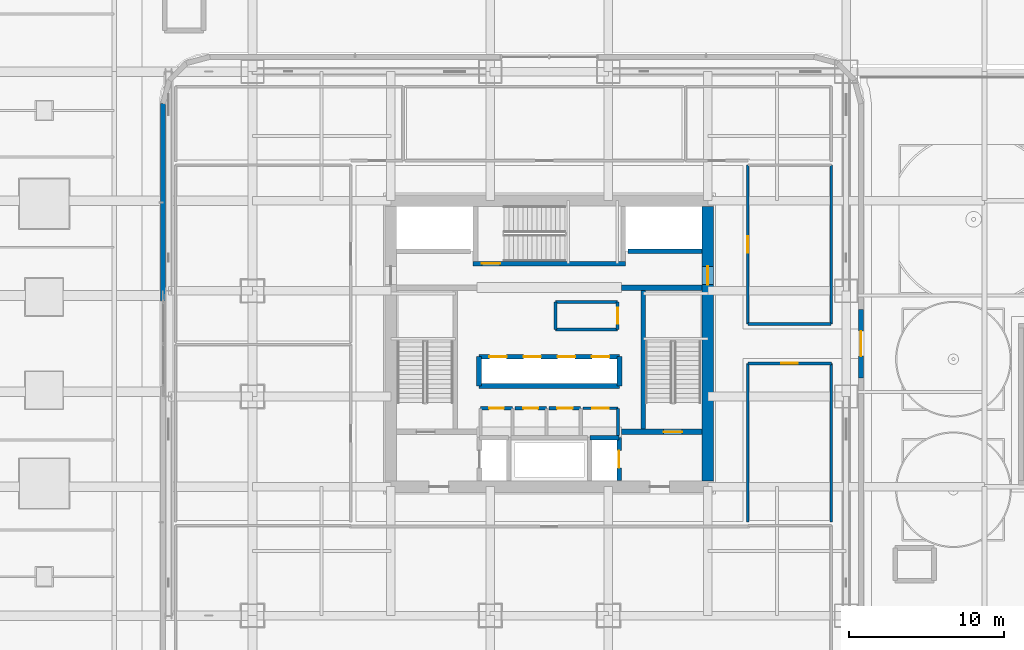
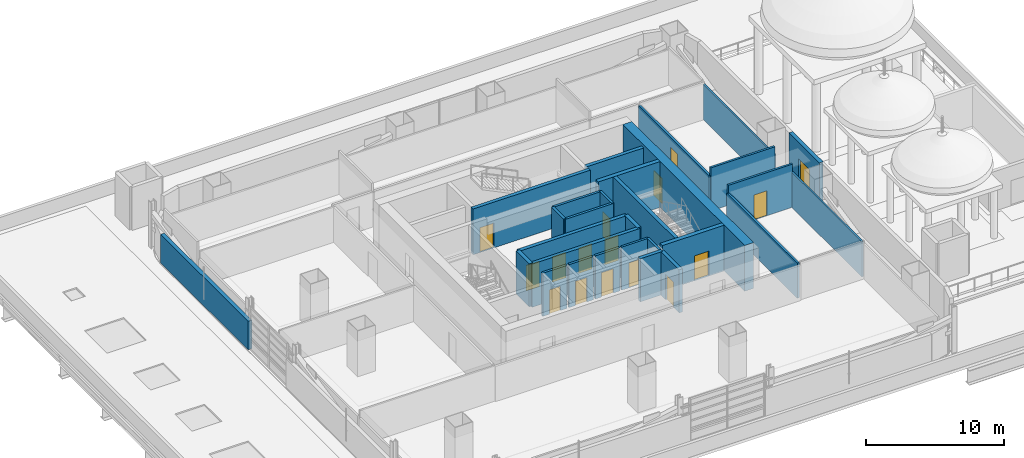
# One storey, part 15 of 30: 29 walls, 16 doors, 16 openings.
"""IFC4 building model written with IfcOpenShell, lengths in metres."""

from ifc_helpers import new_model, si_unit, direction, frame, frame_2d, origin, place, context, subcontext, project, spatial, rectangle, extrude, material, layer, layer_set, type_object, element, fill, save


model = new_model("IFC4")

# Units and contexts
model_context = context("Model", 3, precision=1e-05, world=origin(), true_north=direction((0.0, 1.0)))
body_context = subcontext(model_context, "Body", "Model", "MODEL_VIEW")
ifc_project = project(units=[si_unit("LENGTHUNIT", "METRE"), si_unit("AREAUNIT", "SQUARE_METRE"), si_unit("VOLUMEUNIT", "CUBIC_METRE"), si_unit("PLANEANGLEUNIT", "RADIAN"), si_unit("MASSUNIT", "GRAM", prefix="KILO")], contexts=[model_context])

# Site, building, storey
site_placement = place(None, origin())
site = spatial("IfcSite", under=ifc_project, at=site_placement, CompositionType="ELEMENT")
building_placement = place(site_placement, origin())
building = spatial("IfcBuilding", under=site, at=building_placement, Name="Punatoya Terracotta Tower", CompositionType="ELEMENT")
storey_placement = place(building_placement, frame((0.0, 0.0, 28.199951171875)))
storey = spatial("IfcBuildingStorey", under=building, at=storey_placement, Name="L05", CompositionType="ELEMENT", Elevation=28.199951171875)

# Wall, opening, door
ifc_material_1 = material(Name="Concrete C60/75", Category="concrete")
ifc_layer_1 = layer(ifc_material_1, 0.75)
ifc_layer_set_1 = layer_set([ifc_layer_1], Name="Concrete C60/75")
wall_type_1 = type_object("IfcWallType", Name="WL-COR-750", PredefinedType="SHEAR", material=ifc_layer_set_1)
wall_1_placement = place(storey_placement, frame((10.199951171875, 8.824951171875, 0.0), z_axis=(0.0, 0.0, 1.0), x_axis=(0.0, -1.0, 0.0)))
wall_1 = element("IfcWall", 1, at=wall_1_placement, inside=storey, type_object=wall_type_1, Name="L05 Core Shear Wall E", PredefinedType="SHEAR", context=body_context, shape_type="SweptSolid", body=[
    extrude(rectangle(XDim=17.64990234375, YDim=0.75, at=frame_2d((8.824951171875, 0.0))), origin(), (0.0, 0.0, 1.0), 4.050048828125),
])
opening_1_placement = place(wall_1_placement, frame((3.85498046875, 0.0, 0.0)))
opening_1 = element("IfcOpeningElement", 2, at=opening_1_placement, cuts=wall_1, Name="Opening SD-01", PredefinedType="OPENING", context=body_context, shape_type="SweptSolid", body=[
    extrude(rectangle(XDim=1.179931640625, YDim=2.199951171875, at=frame_2d((0.58984375, 1.10009765625))), frame((0.0, 0.385009765625, 0.0), z_axis=(0.0, -1.0, 0.0), x_axis=(1.0, 0.0, 0.0)), (0.0, 0.0, 1.0), 0.77001953125),
])
ifc_material_2 = material(Name="Galvanised Steel Pressurized Stair Fire Door", Category="steel")
door_type_1 = type_object("IfcDoorType", Name="DR-STR-1180", OperationType="NOTDEFINED", PredefinedType="DOOR", material=ifc_material_2)
door_1_placement = place(opening_1_placement, origin())
door_1 = element("IfcDoor", 3, at=door_1_placement, inside=storey, type_object=door_type_1, Name="L05 Central Lift Lobby East Fire Door", OperationType="SINGLE_SWING_RIGHT", OverallHeight=2.199951171875, OverallWidth=1.179931640625, PredefinedType="DOOR", context=body_context, shape_type="SweptSolid", body=[
    extrude(rectangle(XDim=1.179931640625, YDim=2.199951171875, at=frame_2d((0.58984375, 1.10009765625))), frame((0.0, 0.02490234375, 0.0), z_axis=(0.0, -1.0, 0.0), x_axis=(1.0, 0.0, 0.0)), (0.0, 0.0, 1.0), 0.050048828125),
])
fill(opening_1, door_1)

# Wall
ifc_material_3 = material(Name="Gypsum Fireboard + Steel Stud", Category="steel")
ifc_layer_2 = layer(ifc_material_3, 0.179931640625)
ifc_layer_set_2 = layer_set([ifc_layer_2], Name="Gypsum Fireboard + Steel Stud")
wall_type_2 = type_object("IfcWallType", Name="WL-CORR-180", PredefinedType="PARTITIONING", material=ifc_layer_set_2)
wall_2_placement = place(storey_placement, frame((4.419921875, -5.89990234375, 0.0), z_axis=(0.0, 0.0, 1.0), x_axis=(0.0, 1.0, 0.0)))
element("IfcWall", 4, at=wall_2_placement, inside=storey, type_object=wall_type_2, Name="L05 Core Reprographics Studio Partition 08", PredefinedType="PARTITIONING", context=body_context, shape_type="SweptSolid", body=[
    extrude(rectangle(XDim=1.739990234375, YDim=0.179931640625, at=frame_2d((0.8701171875, 0.0))), origin(), (0.0, 0.0, 1.0), 3.81005859375),
])

# Wall, opening, door
wall_3_placement = place(storey_placement, frame((4.419921875, -4.159912109375, 0.0), z_axis=(0.0, 0.0, 1.0), x_axis=(-1.0, 0.0, 0.0)))
wall_3 = element("IfcWall", 5, at=wall_3_placement, inside=storey, type_object=wall_type_2, Name="L05 Core Reprographics Studio Partition 09", PredefinedType="PARTITIONING", context=body_context, shape_type="SweptSolid", body=[
    extrude(rectangle(XDim=2.239990234375, YDim=0.179931640625, at=frame_2d((1.1201171875, 0.0))), origin(), (0.0, 0.0, 1.0), 3.81005859375),
])
opening_2_placement = place(wall_3_placement, frame((0.594970703125, 0.0, 0.0)))
opening_2 = element("IfcOpeningElement", 6, at=opening_2_placement, cuts=wall_3, Name="Opening OD-01", PredefinedType="OPENING", context=body_context, shape_type="SweptSolid", body=[
    extrude(rectangle(XDim=1.050048828125, YDim=2.199951171875, at=frame_2d((0.52490234375, 1.10009765625))), frame((0.0, 0.099853515625, 0.0), z_axis=(0.0, -1.0, 0.0), x_axis=(1.0, 0.0, 0.0)), (0.0, 0.0, 1.0), 0.199951171875),
])
ifc_material_4 = material(Name="Bengal Teak Solid-Core Leaf")
door_type_2 = type_object("IfcDoorType", Name="DR-OFF-1050", OperationType="NOTDEFINED", PredefinedType="DOOR", material=ifc_material_4)
door_2_placement = place(opening_2_placement, origin())
door_2 = element("IfcDoor", 7, at=door_2_placement, inside=storey, type_object=door_type_2, Name="L05 Reprographics Studio Door", OperationType="SINGLE_SWING_RIGHT", OverallHeight=2.199951171875, OverallWidth=1.050048828125, PredefinedType="DOOR", context=body_context, shape_type="SweptSolid", body=[
    extrude(rectangle(XDim=1.050048828125, YDim=2.199951171875, at=frame_2d((0.52490234375, 1.10009765625))), frame((0.0, 0.02490234375, 0.0), z_axis=(0.0, -1.0, 0.0), x_axis=(1.0, 0.0, 0.0)), (0.0, 0.0, 1.0), 0.050048828125),
])
fill(opening_2, door_2)

wall_4_placement = place(storey_placement, frame((12.77001953125, -1.27001953125, 0.0), z_axis=(0.0, 0.0, 1.0), x_axis=(1.0, 0.0, 0.0)))
wall_4 = element("IfcWall", 8, at=wall_4_placement, inside=storey, type_object=wall_type_2, Name="L05 Analytical Practice Office Partition 20", PredefinedType="PARTITIONING", context=body_context, shape_type="SweptSolid", body=[
    extrude(rectangle(XDim=5.369873046875, YDim=0.179931640625, at=frame_2d((2.68505859375, 0.0))), origin(), (0.0, 0.0, 1.0), 3.81005859375),
])
opening_3_placement = place(wall_4_placement, frame((2.159912109375, 0.0, 0.0)))
opening_3 = element("IfcOpeningElement", 9, at=opening_3_placement, cuts=wall_4, Name="Opening OD-01", PredefinedType="OPENING", context=body_context, shape_type="SweptSolid", body=[
    extrude(rectangle(XDim=1.050048828125, YDim=2.199951171875, at=frame_2d((0.52490234375, 1.10009765625))), frame((0.0, 0.099853515625, 0.0), z_axis=(0.0, -1.0, 0.0), x_axis=(1.0, 0.0, 0.0)), (0.0, 0.0, 1.0), 0.199951171875),
])
door_3_placement = place(opening_3_placement, origin())
door_3 = element("IfcDoor", 10, at=door_3_placement, inside=storey, type_object=door_type_2, Name="L05 Analytical Practice Office Door", OperationType="SINGLE_SWING_LEFT", OverallHeight=2.199951171875, OverallWidth=1.050048828125, PredefinedType="DOOR", context=body_context, shape_type="SweptSolid", body=[
    extrude(rectangle(XDim=1.050048828125, YDim=2.199951171875, at=frame_2d((0.52490234375, 1.10009765625))), frame((0.0, 0.02490234375, 0.0), z_axis=(0.0, -1.0, 0.0), x_axis=(1.0, 0.0, 0.0)), (0.0, 0.0, 1.0), 0.050048828125),
])
fill(opening_3, door_3)

# Wall
wall_5_placement = place(storey_placement, frame((12.77001953125, -11.489990234375, 0.0), z_axis=(0.0, 0.0, 1.0), x_axis=(0.0, 1.0, 0.0)))
element("IfcWall", 11, at=wall_5_placement, inside=storey, type_object=wall_type_2, Name="L05 Analytical Practice Office Partition 22", PredefinedType="PARTITIONING", context=body_context, shape_type="SweptSolid", body=[
    extrude(rectangle(XDim=10.219970703125, YDim=0.179931640625, at=frame_2d((5.10986328125, 0.0))), origin(), (0.0, 0.0, 1.0), 3.10400390625),
])

# Wall, opening, door
wall_6_placement = place(storey_placement, frame((12.77001953125, 1.27001953125, 0.0), z_axis=(0.0, 0.0, 1.0), x_axis=(0.0, 1.0, 0.0)))
wall_6 = element("IfcWall", 12, at=wall_6_placement, inside=storey, type_object=wall_type_2, Name="L05 Digital Reference Library Partition 29", PredefinedType="PARTITIONING", context=body_context, shape_type="SweptSolid", body=[
    extrude(rectangle(XDim=10.219970703125, YDim=0.179931640625, at=frame_2d((5.10986328125, 0.0))), origin(), (0.0, 0.0, 1.0), 3.10400390625),
])
opening_4_placement = place(wall_6_placement, frame((4.5849609375, 0.0, 0.0)))
opening_4 = element("IfcOpeningElement", 13, at=opening_4_placement, cuts=wall_6, Name="Opening OD-01", PredefinedType="OPENING", context=body_context, shape_type="SweptSolid", body=[
    extrude(rectangle(XDim=1.050048828125, YDim=2.199951171875, at=frame_2d((0.52490234375, 1.10009765625))), frame((0.0, 0.099853515625, 0.0), z_axis=(0.0, -1.0, 0.0), x_axis=(1.0, 0.0, 0.0)), (0.0, 0.0, 1.0), 0.199951171875),
])
door_4_placement = place(opening_4_placement, origin())
door_4 = element("IfcDoor", 14, at=door_4_placement, inside=storey, type_object=door_type_2, Name="L05 Digital Reference Library Door", OperationType="SINGLE_SWING_RIGHT", OverallHeight=2.199951171875, OverallWidth=1.050048828125, PredefinedType="DOOR", context=body_context, shape_type="SweptSolid", body=[
    extrude(rectangle(XDim=1.050048828125, YDim=2.199951171875, at=frame_2d((0.52490234375, 1.10009765625))), frame((0.0, 0.02490234375, 0.0), z_axis=(0.0, -1.0, 0.0), x_axis=(1.0, 0.0, 0.0)), (0.0, 0.0, 1.0), 0.050048828125),
])
fill(opening_4, door_4)

# Wall
wall_7_placement = place(storey_placement, frame((18.139892578125, 1.27001953125, 0.0), z_axis=(0.0, 0.0, 1.0), x_axis=(-1.0, 0.0, 0.0)))
element("IfcWall", 15, at=wall_7_placement, inside=storey, type_object=wall_type_2, Name="L05 Digital Reference Library Partition 32", PredefinedType="PARTITIONING", context=body_context, shape_type="SweptSolid", body=[
    extrude(rectangle(XDim=5.369873046875, YDim=0.179931640625, at=frame_2d((2.68505859375, 0.0))), origin(), (0.0, 0.0, 1.0), 3.81005859375),
])

# Wall, opening, door
ifc_material_5 = material(Name="Precast concrete C40/50", Category="concrete")
ifc_layer_3 = layer(ifc_material_5, 0.320068359375)
ifc_layer_set_3 = layer_set([ifc_layer_3], Name="Precast concrete C40/50")
wall_type_3 = type_object("IfcWallType", Name="WL-EXT-320", PredefinedType="SOLIDWALL", material=ifc_layer_set_3)
wall_8_placement = place(storey_placement, frame((20.050048828125, -2.199951171875, 0.0), z_axis=(0.0, 0.0, 1.0), x_axis=(0.0, 1.0, 0.0)))
wall_8 = element("IfcWall", 16, at=wall_8_placement, inside=storey, type_object=wall_type_3, Name="L05 Sky-Terrace Portal Wall E", PredefinedType="SOLIDWALL", context=body_context, shape_type="SweptSolid", body=[
    extrude(rectangle(XDim=4.39990234375, YDim=0.320068359375, at=frame_2d((2.199951171875, 0.0))), origin(), (0.0, 0.0, 1.0), 3.81005859375),
])
opening_5_placement = place(wall_8_placement, frame((1.39990234375, 0.0, 0.0)))
opening_5 = element("IfcOpeningElement", 17, at=opening_5_placement, cuts=wall_8, Name="Opening TD-01", PredefinedType="OPENING", context=body_context, shape_type="SweptSolid", body=[
    extrude(rectangle(XDim=1.60009765625, YDim=2.35009765625, at=frame_2d((0.800048828125, 1.175048828125))), frame((0.0, 0.169921875, 0.0), z_axis=(0.0, -1.0, 0.0), x_axis=(1.0, 0.0, 0.0)), (0.0, 0.0, 1.0), 0.340087890625),
])
ifc_material_6 = material(Name="Aluminium 6063-T6 + Low-E Glass", Category="aluminium")
door_type_3 = type_object("IfcDoorType", Name="DR-TER-1600", OperationType="NOTDEFINED", PredefinedType="DOOR", material=ifc_material_6)
door_5_placement = place(opening_5_placement, origin())
door_5 = element("IfcDoor", 18, at=door_5_placement, inside=storey, type_object=door_type_3, Name="L05 Sky-Terrace Access Door E1", OperationType="SINGLE_SWING_LEFT", OverallHeight=2.35009765625, OverallWidth=1.60009765625, PredefinedType="DOOR", context=body_context, shape_type="SweptSolid", body=[
    extrude(rectangle(XDim=1.60009765625, YDim=2.35009765625, at=frame_2d((0.800048828125, 1.175048828125))), frame((0.0, 0.02490234375, 0.0), z_axis=(0.0, -1.0, 0.0), x_axis=(1.0, 0.0, 0.0)), (0.0, 0.0, 1.0), 0.050048828125),
])
fill(opening_5, door_5)

# Wall
wall_9_placement = place(storey_placement, frame((-24.85009765625, 15.43701171875, 0.0), z_axis=(0.0, 0.0, 1.0), x_axis=(0.0, -1.0, 0.0)))
element("IfcWall", 19, at=wall_9_placement, inside=storey, type_object=wall_type_3, Name="L05 Terracotta Braced Facade Wall W1", PredefinedType="SOLIDWALL", context=body_context, shape_type="SweptSolid", body=[
    extrude(rectangle(XDim=12.68701171875, YDim=0.320068359375, at=frame_2d((6.343505859375, 0.0))), origin(), (0.0, 0.0, 1.0), 2.524169921875),
])

# Wall, opening, door
ifc_material_7 = material(Name="Concrete C40/50", Category="concrete")
ifc_layer_4 = layer(ifc_material_7, 0.199951171875)
ifc_layer_set_4 = layer_set([ifc_layer_4], Name="Concrete C40/50")
wall_type_4 = type_object("IfcWallType", Name="WL-INT-200", PredefinedType="SOLIDWALL", material=ifc_layer_set_4)
wall_10_placement = place(storey_placement, frame((-2.3798828125, -4.159912109375, 0.0), z_axis=(0.0, 0.0, 1.0), x_axis=(-1.0, 0.0, 0.0)))
wall_10 = element("IfcWall", 20, at=wall_10_placement, inside=storey, type_object=wall_type_4, Name="L05 Male Washroom Partition 02", PredefinedType="SOLIDWALL", context=body_context, shape_type="SweptSolid", body=[
    extrude(rectangle(XDim=2.0400390625, YDim=0.199951171875, at=frame_2d((1.02001953125, 0.0))), origin(), (0.0, 0.0, 1.0), 3.81005859375),
])
opening_6_placement = place(wall_10_placement, frame((0.544921875, 0.0, 0.0)))
opening_6 = element("IfcOpeningElement", 21, at=opening_6_placement, cuts=wall_10, Name="Opening WD-01", PredefinedType="OPENING", context=body_context, shape_type="SweptSolid", body=[
    extrude(rectangle(XDim=0.949951171875, YDim=2.14990234375, at=frame_2d((0.47509765625, 1.074951171875))), frame((0.0, 0.10986328125, 0.0), z_axis=(0.0, -1.0, 0.0), x_axis=(1.0, 0.0, 0.0)), (0.0, 0.0, 1.0), 0.219970703125),
])
ifc_material_8 = material(Name="Moisture-Resistant Laminate Timber Leaf", Category="wood")
door_type_4 = type_object("IfcDoorType", Name="DR-WC-950", OperationType="NOTDEFINED", PredefinedType="DOOR", material=ifc_material_8)
door_6_placement = place(opening_6_placement, origin())
door_6 = element("IfcDoor", 22, at=door_6_placement, inside=storey, type_object=door_type_4, Name="L05 Male Washroom Door", OperationType="SINGLE_SWING_LEFT", OverallHeight=2.14990234375, OverallWidth=0.949951171875, PredefinedType="DOOR", context=body_context, shape_type="SweptSolid", body=[
    extrude(rectangle(XDim=0.949951171875, YDim=2.14990234375, at=frame_2d((0.47509765625, 1.074951171875))), frame((0.0, 0.02490234375, 0.0), z_axis=(0.0, -1.0, 0.0), x_axis=(1.0, 0.0, 0.0)), (0.0, 0.0, 1.0), 0.050048828125),
])
fill(opening_6, door_6)

wall_11_placement = place(storey_placement, frame((-0.179931640625, -4.159912109375, 0.0), z_axis=(0.0, 0.0, 1.0), x_axis=(-1.0, 0.0, 0.0)))
wall_11 = element("IfcWall", 23, at=wall_11_placement, inside=storey, type_object=wall_type_4, Name="L05 Female Washroom Partition 05", PredefinedType="SOLIDWALL", context=body_context, shape_type="SweptSolid", body=[
    extrude(rectangle(XDim=2.0400390625, YDim=0.199951171875, at=frame_2d((1.02001953125, 0.0))), origin(), (0.0, 0.0, 1.0), 3.81005859375),
])
opening_7_placement = place(wall_11_placement, frame((0.544921875, 0.0, 0.0)))
opening_7 = element("IfcOpeningElement", 24, at=opening_7_placement, cuts=wall_11, Name="Opening WD-01", PredefinedType="OPENING", context=body_context, shape_type="SweptSolid", body=[
    extrude(rectangle(XDim=0.949951171875, YDim=2.14990234375, at=frame_2d((0.47509765625, 1.074951171875))), frame((0.0, 0.10986328125, 0.0), z_axis=(0.0, -1.0, 0.0), x_axis=(1.0, 0.0, 0.0)), (0.0, 0.0, 1.0), 0.219970703125),
])
door_7_placement = place(opening_7_placement, origin())
door_7 = element("IfcDoor", 25, at=door_7_placement, inside=storey, type_object=door_type_4, Name="L05 Female Washroom Door", OperationType="SINGLE_SWING_RIGHT", OverallHeight=2.14990234375, OverallWidth=0.949951171875, PredefinedType="DOOR", context=body_context, shape_type="SweptSolid", body=[
    extrude(rectangle(XDim=0.949951171875, YDim=2.14990234375, at=frame_2d((0.47509765625, 1.074951171875))), frame((0.0, 0.02490234375, 0.0), z_axis=(0.0, -1.0, 0.0), x_axis=(1.0, 0.0, 0.0)), (0.0, 0.0, 1.0), 0.050048828125),
])
fill(opening_7, door_7)

wall_12_placement = place(storey_placement, frame((2.02001953125, -4.159912109375, 0.0), z_axis=(0.0, 0.0, 1.0), x_axis=(-1.0, 0.0, 0.0)))
wall_12 = element("IfcWall", 26, at=wall_12_placement, inside=storey, type_object=wall_type_4, Name="L05 Accessible Universal Washroom Partition 07", PredefinedType="SOLIDWALL", context=body_context, shape_type="SweptSolid", body=[
    extrude(rectangle(XDim=2.0400390625, YDim=0.199951171875, at=frame_2d((1.02001953125, 0.0))), origin(), (0.0, 0.0, 1.0), 3.81005859375),
])
opening_8_placement = place(wall_12_placement, frame((0.52001953125, 0.0, 0.0)))
opening_8 = element("IfcOpeningElement", 27, at=opening_8_placement, cuts=wall_12, Name="Opening AWD-1", PredefinedType="OPENING", context=body_context, shape_type="SweptSolid", body=[
    extrude(rectangle(XDim=1.0, YDim=2.14990234375, at=frame_2d((0.5, 1.074951171875))), frame((0.0, 0.10986328125, 0.0), z_axis=(0.0, -1.0, 0.0), x_axis=(1.0, 0.0, 0.0)), (0.0, 0.0, 1.0), 0.219970703125),
])
ifc_material_9 = material(Name="Bengal Teak Accessible WC Leaf")
door_type_5 = type_object("IfcDoorType", Name="DR-ACC-1000", OperationType="NOTDEFINED", PredefinedType="DOOR", material=ifc_material_9)
door_8_placement = place(opening_8_placement, origin())
door_8 = element("IfcDoor", 28, at=door_8_placement, inside=storey, type_object=door_type_5, Name="L05 Accessible Universal Washroom Door", OperationType="SINGLE_SWING_LEFT", OverallHeight=2.14990234375, OverallWidth=1.0, PredefinedType="DOOR", context=body_context, shape_type="SweptSolid", body=[
    extrude(rectangle(XDim=1.0, YDim=2.14990234375, at=frame_2d((0.5, 1.074951171875))), frame((0.0, 0.02490234375, 0.0), z_axis=(0.0, -1.0, 0.0), x_axis=(1.0, 0.0, 0.0)), (0.0, 0.0, 1.0), 0.050048828125),
])
fill(opening_8, door_8)

wall_13_placement = place(storey_placement, frame((4.39990234375, 0.919921875, 0.0), z_axis=(0.0, 0.0, 1.0), x_axis=(0.0, 1.0, 0.0)))
wall_13 = element("IfcWall", 29, at=wall_13_placement, inside=storey, type_object=wall_type_4, Name="L05 East Core Tea Pantry Partition 10", PredefinedType="SOLIDWALL", context=body_context, shape_type="SweptSolid", body=[
    extrude(rectangle(XDim=1.760009765625, YDim=0.199951171875, at=frame_2d((0.8798828125, 0.0))), origin(), (0.0, 0.0, 1.0), 3.81005859375),
])
opening_9_placement = place(wall_13_placement, frame((0.35498046875, 0.0, 0.0)))
opening_9 = element("IfcOpeningElement", 30, at=opening_9_placement, cuts=wall_13, Name="Opening OD-01", PredefinedType="OPENING", context=body_context, shape_type="SweptSolid", body=[
    extrude(rectangle(XDim=1.050048828125, YDim=2.199951171875, at=frame_2d((0.52490234375, 1.10009765625))), frame((0.0, 0.10986328125, 0.0), z_axis=(0.0, -1.0, 0.0), x_axis=(1.0, 0.0, 0.0)), (0.0, 0.0, 1.0), 0.219970703125),
])
door_9_placement = place(opening_9_placement, origin())
door_9 = element("IfcDoor", 31, at=door_9_placement, inside=storey, type_object=door_type_2, Name="L05 East Tea Pantry Door", OperationType="SINGLE_SWING_LEFT", OverallHeight=2.199951171875, OverallWidth=1.050048828125, PredefinedType="DOOR", context=body_context, shape_type="SweptSolid", body=[
    extrude(rectangle(XDim=1.050048828125, YDim=2.199951171875, at=frame_2d((0.52490234375, 1.10009765625))), frame((0.0, 0.02490234375, 0.0), z_axis=(0.0, -1.0, 0.0), x_axis=(1.0, 0.0, 0.0)), (0.0, 0.0, 1.0), 0.050048828125),
])
fill(opening_9, door_9)

# Walls
wall_14_placement = place(storey_placement, frame((4.39990234375, 2.679931640625, 0.0), z_axis=(0.0, 0.0, 1.0), x_axis=(-1.0, 0.0, 0.0)))
element("IfcWall", 32, at=wall_14_placement, inside=storey, type_object=wall_type_4, Name="L05 East Core Tea Pantry Partition 11", PredefinedType="SOLIDWALL", context=body_context, shape_type="SweptSolid", body=[
    extrude(rectangle(XDim=4.0, YDim=0.199951171875, at=frame_2d((2.0, 0.0))), origin(), (0.0, 0.0, 1.0), 3.81005859375),
])
wall_15_placement = place(storey_placement, frame((0.39990234375, 2.679931640625, 0.0), z_axis=(0.0, 0.0, 1.0), x_axis=(0.0, -1.0, 0.0)))
element("IfcWall", 33, at=wall_15_placement, inside=storey, type_object=wall_type_4, Name="L05 East Core Tea Pantry Partition 12", PredefinedType="SOLIDWALL", context=body_context, shape_type="SweptSolid", body=[
    extrude(rectangle(XDim=1.760009765625, YDim=0.199951171875, at=frame_2d((0.8798828125, 0.0))), origin(), (0.0, 0.0, 1.0), 3.81005859375),
])
wall_16_placement = place(storey_placement, frame((0.39990234375, 0.919921875, 0.0), z_axis=(0.0, 0.0, 1.0), x_axis=(1.0, 0.0, 0.0)))
element("IfcWall", 34, at=wall_16_placement, inside=storey, type_object=wall_type_4, Name="L05 East Core Tea Pantry Partition 13", PredefinedType="SOLIDWALL", context=body_context, shape_type="SweptSolid", body=[
    extrude(rectangle(XDim=4.0, YDim=0.199951171875, at=frame_2d((2.0, 0.0))), origin(), (0.0, 0.0, 1.0), 3.81005859375),
])
ifc_material_10 = material(Name="Acoustic Gypsum + Steel Stud", Category="steel")
ifc_layer_5 = layer(ifc_material_10, 0.139892578125)
ifc_layer_set_5 = layer_set([ifc_layer_5], Name="Acoustic Gypsum + Steel Stud")
wall_type_5 = type_object("IfcWallType", Name="WL-OFF-140", PredefinedType="PARTITIONING", material=ifc_layer_set_5)
for number, where, z_axis, x_axis, name in (
    (35, (18.139892578125, -1.27001953125, 0.0), (0.0, 0.0, 1.0), (0.0, -1.0, 0.0), "L05 Analytical Practice Office Partition 21"),
    (36, (18.139892578125, 11.489990234375, 0.0), (0.0, 0.0, 1.0), (0.0, -1.0, 0.0), "L05 Digital Reference Library Partition 31"),
):
    element("IfcWall", number, at=place(storey_placement, frame(where, z_axis=z_axis, x_axis=x_axis)), inside=storey, type_object=wall_type_5, Name=name, PredefinedType="PARTITIONING", context=body_context, shape_type="SweptSolid", body=[
        extrude(rectangle(XDim=10.219970703125, YDim=0.139892578125, at=frame_2d((5.10986328125, 0.0))), origin(), (0.0, 0.0, 1.0), 3.10400390625),
    ])
ifc_layer_6 = layer(ifc_material_7, 0.300048828125)
ifc_layer_set_6 = layer_set([ifc_layer_6], Name="Concrete C40/50")
wall_type_6 = type_object("IfcWallType", Name="WL-SHF-300", PredefinedType="SOLIDWALL", material=ifc_layer_set_6)
wall_17_placement = place(storey_placement, frame((6.050048828125, 3.449951171875, 0.0), z_axis=(0.0, 0.0, 1.0), x_axis=(0.0, -1.0, 0.0)))
element("IfcWall", 37, at=wall_17_placement, inside=storey, type_object=wall_type_6, Name="L05 Structural Stair Shaft Wall SW-ST2-W", PredefinedType="SOLIDWALL", context=body_context, shape_type="SweptSolid", body=[
    extrude(rectangle(XDim=8.949951171875, YDim=0.300048828125, at=frame_2d((4.47509765625, 0.0))), origin(), (0.0, 0.0, 1.0), 4.050048828125),
])

# Wall, opening, door
wall_18_placement = place(storey_placement, frame((-4.89990234375, 5.14990234375, 0.0), z_axis=(0.0, 0.0, 1.0), x_axis=(1.0, 0.0, 0.0)))
wall_18 = element("IfcWall", 38, at=wall_18_placement, inside=storey, type_object=wall_type_6, Name="L05 Structural Stair Shaft Wall SW-ST3-S", PredefinedType="SOLIDWALL", context=body_context, shape_type="SweptSolid", body=[
    extrude(rectangle(XDim=9.7998046875, YDim=0.300048828125, at=frame_2d((4.89990234375, 0.0))), origin(), (0.0, 0.0, 1.0), 4.050048828125),
])
opening_10_placement = place(wall_18_placement, frame((0.56005859375, 0.0, 0.0)))
opening_10 = element("IfcOpeningElement", 39, at=opening_10_placement, cuts=wall_18, Name="Opening SD-01", PredefinedType="OPENING", context=body_context, shape_type="SweptSolid", body=[
    extrude(rectangle(XDim=1.179931640625, YDim=2.199951171875, at=frame_2d((0.58984375, 1.10009765625))), frame((0.0, 0.159912109375, 0.0), z_axis=(0.0, -1.0, 0.0), x_axis=(1.0, 0.0, 0.0)), (0.0, 0.0, 1.0), 0.320068359375),
])
door_10_placement = place(opening_10_placement, origin())
door_10 = element("IfcDoor", 40, at=door_10_placement, inside=storey, type_object=door_type_1, Name="L05 Stair ST-3 Core Lobby Fire Door", OperationType="SINGLE_SWING_LEFT", OverallHeight=2.199951171875, OverallWidth=1.179931640625, PredefinedType="DOOR", context=body_context, shape_type="SweptSolid", body=[
    extrude(rectangle(XDim=1.179931640625, YDim=2.199951171875, at=frame_2d((0.58984375, 1.10009765625))), frame((0.0, 0.02490234375, 0.0), z_axis=(0.0, -1.0, 0.0), x_axis=(1.0, 0.0, 0.0)), (0.0, 0.0, 1.0), 0.050048828125),
])
fill(opening_10, door_10)

wall_19_placement = place(storey_placement, frame((4.489990234375, -8.820068359375, 0.0), z_axis=(0.0, 0.0, 1.0), x_axis=(0.0, 1.0, 0.0)))
wall_19 = element("IfcWall", 41, at=wall_19_placement, inside=storey, type_object=wall_type_6, Name="L05 FFL-2 Front Hoistway Wall", PredefinedType="SOLIDWALL", context=body_context, shape_type="SweptSolid", body=[
    extrude(rectangle(XDim=2.77001953125, YDim=0.300048828125, at=frame_2d((1.385009765625, 0.0))), origin(), (0.0, 0.0, 1.0), 3.81005859375),
])
opening_11_placement = place(wall_19_placement, frame((0.824951171875, 0.0, 0.0)))
opening_11 = element("IfcOpeningElement", 42, at=opening_11_placement, cuts=wall_19, Name="Opening LD-02", PredefinedType="OPENING", context=body_context, shape_type="SweptSolid", body=[
    extrude(rectangle(XDim=1.1201171875, YDim=2.25, at=frame_2d((0.56005859375, 1.125))), frame((0.0, 0.159912109375, 0.0), z_axis=(0.0, -1.0, 0.0), x_axis=(1.0, 0.0, 0.0)), (0.0, 0.0, 1.0), 0.320068359375),
])
ifc_material_11 = material(Name="Stainless Steel Lift Landing Door", Category="steel")
door_type_6 = type_object("IfcDoorType", Name="DR-LND-1120", OperationType="NOTDEFINED", PredefinedType="DOOR", material=ifc_material_11)
door_11_placement = place(opening_11_placement, origin())
door_11 = element("IfcDoor", 43, at=door_11_placement, inside=storey, type_object=door_type_6, Name="L05 Firefighting Lift FFL-2 Sliding Landing Door", OperationType="SLIDING_TO_RIGHT", OverallHeight=2.25, OverallWidth=1.1201171875, PredefinedType="DOOR", context=body_context, shape_type="SweptSolid", body=[
    extrude(rectangle(XDim=1.1201171875, YDim=2.25, at=frame_2d((0.56005859375, 1.125))), frame((0.0, 0.02490234375, 0.0), z_axis=(0.0, -1.0, 0.0), x_axis=(1.0, 0.0, 0.0)), (0.0, 0.0, 1.0), 0.050048828125),
])
fill(opening_11, door_11)

# Wall
wall_20_placement = place(storey_placement, frame((2.610107421875, -6.050048828125, 0.0), z_axis=(0.0, 0.0, 1.0), x_axis=(1.0, 0.0, 0.0)))
element("IfcWall", 44, at=wall_20_placement, inside=storey, type_object=wall_type_6, Name="L05 FFL-2 North Hoistway Wall", PredefinedType="SOLIDWALL", context=body_context, shape_type="SweptSolid", body=[
    extrude(rectangle(XDim=1.8798828125, YDim=0.300048828125, at=frame_2d((0.93994140625, 0.0))), origin(), (0.0, 0.0, 1.0), 3.81005859375),
])

# Wall, openings, doors
wall_21_placement = place(storey_placement, frame((-4.52001953125, -0.840087890625, 0.0), z_axis=(0.0, 0.0, 1.0), x_axis=(1.0, 0.0, 0.0)))
wall_21 = element("IfcWall", 45, at=wall_21_placement, inside=storey, type_object=wall_type_6, Name="L05 South Lift Bank Front Shaft Wall", PredefinedType="SOLIDWALL", context=body_context, shape_type="SweptSolid", body=[
    extrude(rectangle(XDim=9.0400390625, YDim=0.300048828125, at=frame_2d((4.52001953125, 0.0))), origin(), (0.0, 0.0, 1.0), 3.81005859375),
])
opening_12_placement = place(wall_21_placement, frame((0.659912109375, 0.0, 0.0)))
opening_12 = element("IfcOpeningElement", 46, at=opening_12_placement, cuts=wall_21, Name="Opening LD-02", PredefinedType="OPENING", context=body_context, shape_type="SweptSolid", body=[
    extrude(rectangle(XDim=1.1201171875, YDim=2.25, at=frame_2d((0.56005859375, 1.125))), frame((0.0, 0.159912109375, 0.0), z_axis=(0.0, -1.0, 0.0), x_axis=(1.0, 0.0, 0.0)), (0.0, 0.0, 1.0), 0.320068359375),
])
opening_13_placement = place(wall_21_placement, frame((2.860107421875, 0.0, 0.0)))
opening_13 = element("IfcOpeningElement", 47, at=opening_13_placement, cuts=wall_21, Name="Opening LD-02", PredefinedType="OPENING", context=body_context, shape_type="SweptSolid", body=[
    extrude(rectangle(XDim=1.1201171875, YDim=2.25, at=frame_2d((0.56005859375, 1.125))), frame((0.0, 0.159912109375, 0.0), z_axis=(0.0, -1.0, 0.0), x_axis=(1.0, 0.0, 0.0)), (0.0, 0.0, 1.0), 0.320068359375),
])
opening_14_placement = place(wall_21_placement, frame((5.06005859375, 0.0, 0.0)))
opening_14 = element("IfcOpeningElement", 48, at=opening_14_placement, cuts=wall_21, Name="Opening LD-02", PredefinedType="OPENING", context=body_context, shape_type="SweptSolid", body=[
    extrude(rectangle(XDim=1.1201171875, YDim=2.25, at=frame_2d((0.56005859375, 1.125))), frame((0.0, 0.159912109375, 0.0), z_axis=(0.0, -1.0, 0.0), x_axis=(1.0, 0.0, 0.0)), (0.0, 0.0, 1.0), 0.320068359375),
])
opening_15_placement = place(wall_21_placement, frame((7.260009765625, 0.0, 0.0)))
opening_15 = element("IfcOpeningElement", 49, at=opening_15_placement, cuts=wall_21, Name="Opening LD-02", PredefinedType="OPENING", context=body_context, shape_type="SweptSolid", body=[
    extrude(rectangle(XDim=1.1201171875, YDim=2.25, at=frame_2d((0.56005859375, 1.125))), frame((0.0, 0.159912109375, 0.0), z_axis=(0.0, -1.0, 0.0), x_axis=(1.0, 0.0, 0.0)), (0.0, 0.0, 1.0), 0.320068359375),
])
door_12_placement = place(opening_12_placement, origin())
door_12 = element("IfcDoor", 50, at=door_12_placement, inside=storey, type_object=door_type_6, Name="L05 Lift PL-L1 Sliding Landing Door", OperationType="DOUBLE_DOOR_SLIDING", OverallHeight=2.25, OverallWidth=1.1201171875, PredefinedType="DOOR", context=body_context, shape_type="SweptSolid", body=[
    extrude(rectangle(XDim=1.1201171875, YDim=2.25, at=frame_2d((0.56005859375, 1.125))), frame((0.0, 0.02490234375, 0.0), z_axis=(0.0, -1.0, 0.0), x_axis=(1.0, 0.0, 0.0)), (0.0, 0.0, 1.0), 0.050048828125),
])
fill(opening_12, door_12)
door_13_placement = place(opening_13_placement, origin())
door_13 = element("IfcDoor", 51, at=door_13_placement, inside=storey, type_object=door_type_6, Name="L05 Lift PL-L2 Sliding Landing Door", OperationType="DOUBLE_DOOR_SLIDING", OverallHeight=2.25, OverallWidth=1.1201171875, PredefinedType="DOOR", context=body_context, shape_type="SweptSolid", body=[
    extrude(rectangle(XDim=1.1201171875, YDim=2.25, at=frame_2d((0.56005859375, 1.125))), frame((0.0, 0.02490234375, 0.0), z_axis=(0.0, -1.0, 0.0), x_axis=(1.0, 0.0, 0.0)), (0.0, 0.0, 1.0), 0.050048828125),
])
fill(opening_13, door_13)
door_14_placement = place(opening_14_placement, origin())
door_14 = element("IfcDoor", 52, at=door_14_placement, inside=storey, type_object=door_type_6, Name="L05 Lift PL-L3 Sliding Landing Door", OperationType="DOUBLE_DOOR_SLIDING", OverallHeight=2.25, OverallWidth=1.1201171875, PredefinedType="DOOR", context=body_context, shape_type="SweptSolid", body=[
    extrude(rectangle(XDim=1.1201171875, YDim=2.25, at=frame_2d((0.56005859375, 1.125))), frame((0.0, 0.02490234375, 0.0), z_axis=(0.0, -1.0, 0.0), x_axis=(1.0, 0.0, 0.0)), (0.0, 0.0, 1.0), 0.050048828125),
])
fill(opening_14, door_14)
door_15_placement = place(opening_15_placement, origin())
door_15 = element("IfcDoor", 53, at=door_15_placement, inside=storey, type_object=door_type_6, Name="L05 Lift PL-L4 Sliding Landing Door", OperationType="DOUBLE_DOOR_SLIDING", OverallHeight=2.25, OverallWidth=1.1201171875, PredefinedType="DOOR", context=body_context, shape_type="SweptSolid", body=[
    extrude(rectangle(XDim=1.1201171875, YDim=2.25, at=frame_2d((0.56005859375, 1.125))), frame((0.0, 0.02490234375, 0.0), z_axis=(0.0, -1.0, 0.0), x_axis=(1.0, 0.0, 0.0)), (0.0, 0.0, 1.0), 0.050048828125),
])
fill(opening_15, door_15)

# Walls
wall_22_placement = place(storey_placement, frame((-4.52001953125, -2.719970703125, 0.0), z_axis=(0.0, 0.0, 1.0), x_axis=(1.0, 0.0, 0.0)))
element("IfcWall", 54, at=wall_22_placement, inside=storey, type_object=wall_type_6, Name="L05 South Lift Bank Rear Shaft Wall", PredefinedType="SOLIDWALL", context=body_context, shape_type="SweptSolid", body=[
    extrude(rectangle(XDim=9.0400390625, YDim=0.300048828125, at=frame_2d((4.52001953125, 0.0))), origin(), (0.0, 0.0, 1.0), 3.81005859375),
])
for number, where, z_axis, x_axis, name in (
    (55, (-4.52001953125, -2.719970703125, 0.0), (0.0, 0.0, 1.0), (0.0, 1.0, 0.0), "L05 South Lift Bank West End Wall"),
    (56, (4.52001953125, -2.719970703125, 0.0), (0.0, 0.0, 1.0), (0.0, 1.0, 0.0), "L05 South Lift Bank East End Wall"),
):
    element("IfcWall", number, at=place(storey_placement, frame(where, z_axis=z_axis, x_axis=x_axis)), inside=storey, type_object=wall_type_6, Name=name, PredefinedType="SOLIDWALL", context=body_context, shape_type="SweptSolid", body=[
        extrude(rectangle(XDim=1.8798828125, YDim=0.300048828125, at=frame_2d((0.93994140625, 0.0))), origin(), (0.0, 0.0, 1.0), 3.81005859375),
    ])
wall_23_placement = place(storey_placement, frame((5.06005859375, 5.949951171875, 0.0), z_axis=(0.0, 0.0, 1.0), x_axis=(1.0, 0.0, 0.0)))
element("IfcWall", 57, at=wall_23_placement, inside=storey, type_object=wall_type_6, Name="L05 Shuttle SL-2 South Hoistway Wall", PredefinedType="SOLIDWALL", context=body_context, shape_type="SweptSolid", body=[
    extrude(rectangle(XDim=4.760009765625, YDim=0.300048828125, at=frame_2d((2.3798828125, 0.0))), origin(), (0.0, 0.0, 1.0), 3.81005859375),
])

# Wall, opening, door
ifc_material_12 = material(Name="Concrete C50/60", Category="concrete")
ifc_layer_7 = layer(ifc_material_12, 0.35009765625)
ifc_layer_set_7 = layer_set([ifc_layer_7], Name="Concrete C50/60")
wall_type_7 = type_object("IfcWallType", Name="WL-SHF-350", PredefinedType="SOLIDWALL", material=ifc_layer_set_7)
wall_24_placement = place(storey_placement, frame((4.64990234375, -5.679931640625, 0.0), z_axis=(0.0, 0.0, 1.0), x_axis=(1.0, 0.0, 0.0)))
wall_24 = element("IfcWall", 58, at=wall_24_placement, inside=storey, type_object=wall_type_7, Name="L05 Core Web Wall CSW-R", PredefinedType="SOLIDWALL", context=body_context, shape_type="SweptSolid", body=[
    extrude(rectangle(XDim=5.175048828125, YDim=0.35009765625, at=frame_2d((2.58740234375, 0.0))), origin(), (0.0, 0.0, 1.0), 4.050048828125),
])
opening_16_placement = place(wall_24_placement, frame((2.7099609375, 0.0, 0.0)))
opening_16 = element("IfcOpeningElement", 59, at=opening_16_placement, cuts=wall_24, Name="Opening SD-01", PredefinedType="OPENING", context=body_context, shape_type="SweptSolid", body=[
    extrude(rectangle(XDim=1.179931640625, YDim=2.199951171875, at=frame_2d((0.58984375, 1.10009765625))), frame((0.0, 0.18505859375, 0.0), z_axis=(0.0, -1.0, 0.0), x_axis=(1.0, 0.0, 0.0)), (0.0, 0.0, 1.0), 0.3701171875),
])
door_16_placement = place(opening_16_placement, origin())
door_16 = element("IfcDoor", 60, at=door_16_placement, inside=storey, type_object=door_type_1, Name="L05 Stair ST-2 Smokeproof Lobby Fire Door", OperationType="SINGLE_SWING_RIGHT", OverallHeight=2.199951171875, OverallWidth=1.179931640625, PredefinedType="DOOR", context=body_context, shape_type="SweptSolid", body=[
    extrude(rectangle(XDim=1.179931640625, YDim=2.199951171875, at=frame_2d((0.58984375, 1.10009765625))), frame((0.0, 0.02490234375, 0.0), z_axis=(0.0, -1.0, 0.0), x_axis=(1.0, 0.0, 0.0)), (0.0, 0.0, 1.0), 0.050048828125),
])
fill(opening_16, door_16)

# Wall
wall_25_placement = place(storey_placement, frame((4.64990234375, 3.60009765625, 0.0), z_axis=(0.0, 0.0, 1.0), x_axis=(1.0, 0.0, 0.0)))
element("IfcWall", 61, at=wall_25_placement, inside=storey, type_object=wall_type_7, Name="L05 Core Web Wall CNW-R", PredefinedType="SOLIDWALL", context=body_context, shape_type="SweptSolid", body=[
    extrude(rectangle(XDim=5.175048828125, YDim=0.35009765625, at=frame_2d((2.58740234375, 0.0))), origin(), (0.0, 0.0, 1.0), 4.050048828125),
])

save(model, "model.ifc")
